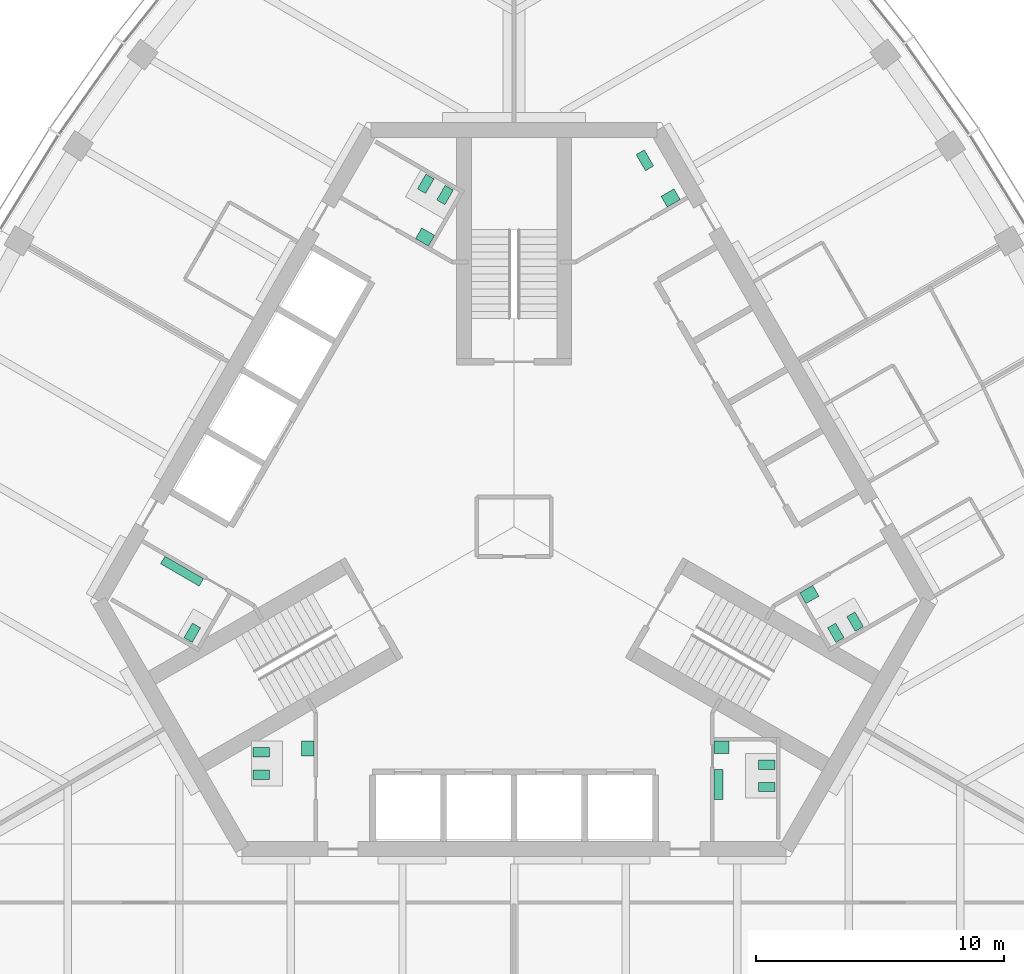
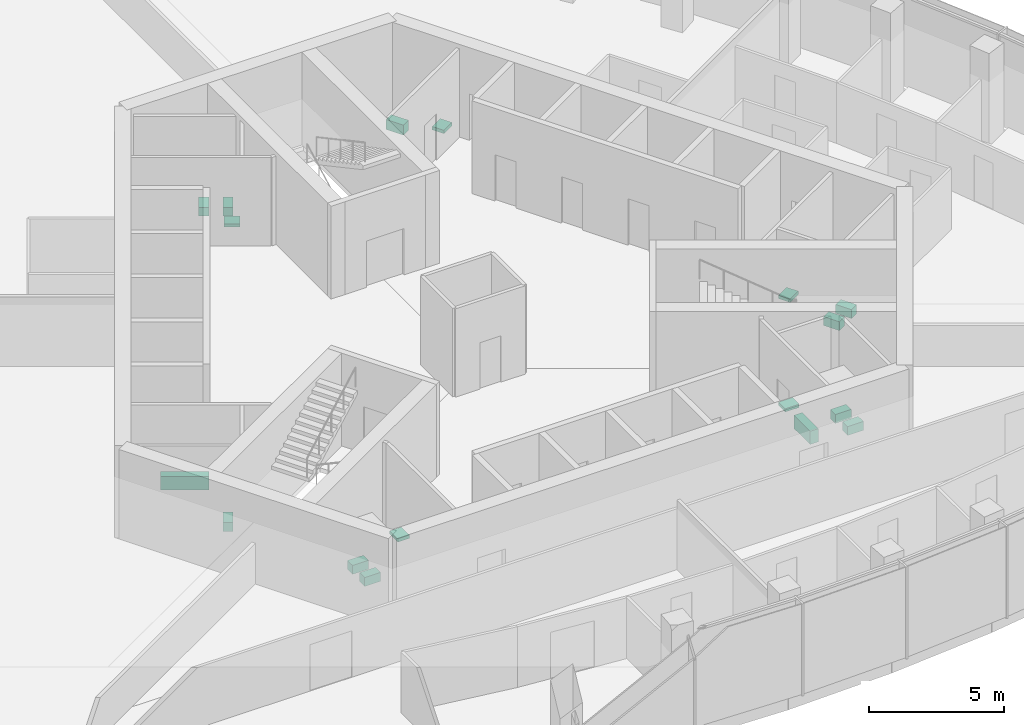
# One storey, part 15 of 16: 17 sanitary terminals.
"""IFC4 building model written with IfcOpenShell, lengths in metres."""

from ifc_helpers import new_model, si_unit, direction, frame, origin, place, context, subcontext, project, spatial, polyline, outline, extrude, material, type_object, element, save


model = new_model("IFC4")

# Units and contexts
model_context = context("Model", 3, precision=1e-05, world=origin(), true_north=direction((0.0, 1.0)))
body_context = subcontext(model_context, "Body", "Model", "MODEL_VIEW")
ifc_project = project(units=[si_unit("LENGTHUNIT", "METRE"), si_unit("AREAUNIT", "SQUARE_METRE"), si_unit("VOLUMEUNIT", "CUBIC_METRE"), si_unit("PLANEANGLEUNIT", "RADIAN"), si_unit("MASSUNIT", "GRAM", prefix="KILO")], contexts=[model_context])

# Site, building, storey
site_placement = place(None, origin())
site = spatial("IfcSite", under=ifc_project, at=site_placement, CompositionType="ELEMENT")
building_placement = place(site_placement, origin())
building = spatial("IfcBuilding", under=site, at=building_placement, Name="Trefoil Bronze Tower", CompositionType="ELEMENT")
storey_placement = place(building_placement, frame((0.0, 0.0, 318.300048828125)))
storey = spatial("IfcBuildingStorey", under=building, at=storey_placement, Name="L73", CompositionType="ELEMENT", Elevation=318.300048828125)

# Sanitary terminals
ifc_material_1 = material(Name="Vitreous china", Category="ceramic")
sanitary_terminal_type_1 = type_object("IfcSanitaryTerminalType", Name="Accessible WC pan", PredefinedType="TOILETPAN", material=ifc_material_1)
sanitary_terminal_1_placement = place(storey_placement, origin())
element("IfcSanitaryTerminal", 1, at=sanitary_terminal_1_placement, inside=storey, type_object=sanitary_terminal_type_1, Name="WC pan 1 Accessible WC L73", PredefinedType="TOILETPAN", context=body_context, shape_type="SweptSolid", body=[
    extrude(outline(polyline([(5.300537109375, 14.359130859375), (4.925537109375, 15.008544921875), (5.254638671875, 15.198486328125), (5.629638671875, 14.549072265625), (5.300537109375, 14.359130859375)])), origin(), (0.0, 0.0, 1.0), 0.449951171875),
])
ifc_material_2 = material(Name="Vitreous china", Category="ceramic")
sanitary_terminal_type_2 = type_object("IfcSanitaryTerminalType", Name="Accessible basin", PredefinedType="WASHHANDBASIN", material=ifc_material_2)
sanitary_terminal_2_placement = place(storey_placement, frame((0.0, 0.0, 0.64990234375)))
element("IfcSanitaryTerminal", 2, at=sanitary_terminal_2_placement, inside=storey, type_object=sanitary_terminal_type_2, Name="Wash basin Accessible WC L73", PredefinedType="WASHHANDBASIN", context=body_context, shape_type="SweptSolid", body=[
    extrude(outline(polyline([(6.181640625, 12.89306640625), (5.931640625, 13.326171875), (6.451171875, 13.626220703125), (6.701171875, 13.193115234375), (6.181640625, 12.89306640625)])), origin(), (0.0, 0.0, 1.0), 0.150146484375),
])
ifc_material_3 = material(Name="Vitreous china", Category="ceramic")
sanitary_terminal_type_3 = type_object("IfcSanitaryTerminalType", Name="Urinal range 2 urinals", PredefinedType="URINAL", material=ifc_material_3)
sanitary_terminal_3_placement = place(storey_placement, frame((0.0, 0.0, 0.39990234375)))
element("IfcSanitaryTerminal", 3, at=sanitary_terminal_3_placement, inside=storey, type_object=sanitary_terminal_type_3, Name="Urinal range WC (men) L73", PredefinedType="URINAL", context=body_context, shape_type="SweptSolid", body=[
    extrude(outline(polyline([(8.074951171875, -9.800048828125), (8.425048828125, -9.800048828125), (8.425048828125, -11.0), (8.074951171875, -11.0), (8.074951171875, -9.800048828125)])), origin(), (0.0, 0.0, 1.0), 0.60009765625),
])
ifc_material_4 = material(Name="Vitreous china", Category="ceramic")
sanitary_terminal_type_4 = type_object("IfcSanitaryTerminalType", Name="Urinal range 3 urinals", PredefinedType="URINAL", material=ifc_material_4)
sanitary_terminal_4_placement = place(storey_placement, frame((0.0, 0.0, 0.39990234375)))
element("IfcSanitaryTerminal", 4, at=sanitary_terminal_4_placement, inside=storey, type_object=sanitary_terminal_type_4, Name="Urinal range WC (men) L73", PredefinedType="URINAL", context=body_context, shape_type="SweptSolid", body=[
    extrude(outline(polyline([(-12.524658203125, -2.09326171875), (-12.699462890625, -2.396240234375), (-14.25830078125, -1.496337890625), (-14.08349609375, -1.193115234375), (-12.524658203125, -2.09326171875)])), origin(), (0.0, 0.0, 1.0), 0.60009765625),
])
ifc_material_5 = material(Name="Solid surface vanity", Category="plastic")
sanitary_terminal_type_5 = type_object("IfcSanitaryTerminalType", Name="Vanity unit 1 basins", PredefinedType="WASHHANDBASIN", material=ifc_material_5)
sanitary_terminal_5_placement = place(storey_placement, frame((0.0, 0.0, 0.75)))
element("IfcSanitaryTerminal", 5, at=sanitary_terminal_5_placement, inside=storey, type_object=sanitary_terminal_type_5, Name="Vanity unit WC (men) L73", PredefinedType="WASHHANDBASIN", context=body_context, shape_type="SweptSolid", body=[
    extrude(outline(polyline([(8.074951171875, -8.64990234375), (8.675048828125, -8.64990234375), (8.675048828125, -9.14990234375), (8.074951171875, -9.14990234375), (8.074951171875, -8.64990234375)])), origin(), (0.0, 0.0, 1.0), 0.14990234375),
])
sanitary_terminal_6_placement = place(storey_placement, frame((0.0, 0.0, 0.75)))
element("IfcSanitaryTerminal", 6, at=sanitary_terminal_6_placement, inside=storey, type_object=sanitary_terminal_type_5, Name="Vanity unit WC (women) L73", PredefinedType="WASHHANDBASIN", context=body_context, shape_type="SweptSolid", body=[
    extrude(outline(polyline([(11.528564453125, -2.668212890625), (11.778564453125, -3.10107421875), (12.29833984375, -2.80126953125), (12.04833984375, -2.3681640625), (11.528564453125, -2.668212890625)])), origin(), (0.0, 0.0, 1.0), 0.14990234375),
])
sanitary_terminal_7_placement = place(storey_placement, frame((0.0, 0.0, 0.75)))
element("IfcSanitaryTerminal", 7, at=sanitary_terminal_7_placement, inside=storey, type_object=sanitary_terminal_type_5, Name="Vanity unit WC (women) L73", PredefinedType="WASHHANDBASIN", context=body_context, shape_type="SweptSolid", body=[
    extrude(outline(polyline([(-3.45361328125, 11.318115234375), (-3.20361328125, 11.751220703125), (-3.72314453125, 12.05126953125), (-3.97314453125, 11.6181640625), (-3.45361328125, 11.318115234375)])), origin(), (0.0, 0.0, 1.0), 0.14990234375),
])
sanitary_terminal_8_placement = place(storey_placement, frame((0.0, 0.0, 0.75)))
element("IfcSanitaryTerminal", 8, at=sanitary_terminal_8_placement, inside=storey, type_object=sanitary_terminal_type_5, Name="Vanity unit WC (women) L73", PredefinedType="WASHHANDBASIN", context=body_context, shape_type="SweptSolid", body=[
    extrude(outline(polyline([(-8.074951171875, -8.64990234375), (-8.574951171875, -8.64990234375), (-8.574951171875, -9.25), (-8.074951171875, -9.25), (-8.074951171875, -8.64990234375)])), origin(), (0.0, 0.0, 1.0), 0.14990234375),
])
ifc_material_6 = material(Name="Vitreous china", Category="ceramic")
sanitary_terminal_type_6 = type_object("IfcSanitaryTerminalType", Name="WC pan", PredefinedType="TOILETPAN", material=ifc_material_6)
sanitary_terminal_9_placement = place(storey_placement, origin())
element("IfcSanitaryTerminal", 9, at=sanitary_terminal_9_placement, inside=storey, type_object=sanitary_terminal_type_6, Name="WC pan 1 WC (men) L73", PredefinedType="TOILETPAN", context=body_context, shape_type="SweptSolid", body=[
    extrude(outline(polyline([(9.85498046875, -9.409912109375), (10.534912109375, -9.409912109375), (10.534912109375, -9.7900390625), (9.85498046875, -9.7900390625), (9.85498046875, -9.409912109375)])), origin(), (0.0, 0.0, 1.0), 0.39990234375),
])
sanitary_terminal_10_placement = place(storey_placement, origin())
element("IfcSanitaryTerminal", 10, at=sanitary_terminal_10_placement, inside=storey, type_object=sanitary_terminal_type_6, Name="WC pan 2 WC (men) L73", PredefinedType="TOILETPAN", context=body_context, shape_type="SweptSolid", body=[
    extrude(outline(polyline([(9.85498046875, -10.31005859375), (10.534912109375, -10.31005859375), (10.534912109375, -10.68994140625), (9.85498046875, -10.68994140625), (9.85498046875, -10.31005859375)])), origin(), (0.0, 0.0, 1.0), 0.39990234375),
])
sanitary_terminal_11_placement = place(storey_placement, origin())
element("IfcSanitaryTerminal", 11, at=sanitary_terminal_11_placement, inside=storey, type_object=sanitary_terminal_type_6, Name="WC pan 1 WC (women) L73", PredefinedType="TOILETPAN", context=body_context, shape_type="SweptSolid", body=[
    extrude(outline(polyline([(12.643798828125, -4.07958984375), (12.98388671875, -4.66845703125), (13.31298828125, -4.478515625), (12.972900390625, -3.8896484375), (12.643798828125, -4.07958984375)])), origin(), (0.0, 0.0, 1.0), 0.39990234375),
])
sanitary_terminal_12_placement = place(storey_placement, origin())
element("IfcSanitaryTerminal", 12, at=sanitary_terminal_12_placement, inside=storey, type_object=sanitary_terminal_type_6, Name="WC pan 2 WC (women) L73", PredefinedType="TOILETPAN", context=body_context, shape_type="SweptSolid", body=[
    extrude(outline(polyline([(13.423095703125, -3.629638671875), (13.76318359375, -4.218505859375), (14.09228515625, -4.028564453125), (13.752197265625, -3.439697265625), (13.423095703125, -3.629638671875)])), origin(), (0.0, 0.0, 1.0), 0.39990234375),
])
sanitary_terminal_13_placement = place(storey_placement, origin())
element("IfcSanitaryTerminal", 13, at=sanitary_terminal_13_placement, inside=storey, type_object=sanitary_terminal_type_6, Name="WC pan 1 WC (women) L73", PredefinedType="TOILETPAN", context=body_context, shape_type="SweptSolid", body=[
    extrude(outline(polyline([(-2.788818359375, 12.98974609375), (-2.44873046875, 13.57861328125), (-2.77783203125, 13.7685546875), (-3.117919921875, 13.1796875), (-2.788818359375, 12.98974609375)])), origin(), (0.0, 0.0, 1.0), 0.39990234375),
])
sanitary_terminal_14_placement = place(storey_placement, origin())
element("IfcSanitaryTerminal", 14, at=sanitary_terminal_14_placement, inside=storey, type_object=sanitary_terminal_type_6, Name="WC pan 2 WC (women) L73", PredefinedType="TOILETPAN", context=body_context, shape_type="SweptSolid", body=[
    extrude(outline(polyline([(-3.568115234375, 13.439697265625), (-3.228271484375, 14.028564453125), (-3.557373046875, 14.218505859375), (-3.897216796875, 13.629638671875), (-3.568115234375, 13.439697265625)])), origin(), (0.0, 0.0, 1.0), 0.39990234375),
])
sanitary_terminal_15_placement = place(storey_placement, origin())
element("IfcSanitaryTerminal", 15, at=sanitary_terminal_15_placement, inside=storey, type_object=sanitary_terminal_type_6, Name="WC pan 1 WC (men) L73", PredefinedType="TOILETPAN", context=body_context, shape_type="SweptSolid", body=[
    extrude(outline(polyline([(-12.643798828125, -4.07958984375), (-12.98388671875, -4.66845703125), (-13.31298828125, -4.478515625), (-12.972900390625, -3.8896484375), (-12.643798828125, -4.07958984375)])), origin(), (0.0, 0.0, 1.0), 0.39990234375),
])
sanitary_terminal_16_placement = place(storey_placement, origin())
element("IfcSanitaryTerminal", 16, at=sanitary_terminal_16_placement, inside=storey, type_object=sanitary_terminal_type_6, Name="WC pan 1 WC (women) L73", PredefinedType="TOILETPAN", context=body_context, shape_type="SweptSolid", body=[
    extrude(outline(polyline([(-9.85498046875, -8.909912109375), (-10.534912109375, -8.909912109375), (-10.534912109375, -9.2900390625), (-9.85498046875, -9.2900390625), (-9.85498046875, -8.909912109375)])), origin(), (0.0, 0.0, 1.0), 0.39990234375),
])
sanitary_terminal_17_placement = place(storey_placement, origin())
element("IfcSanitaryTerminal", 17, at=sanitary_terminal_17_placement, inside=storey, type_object=sanitary_terminal_type_6, Name="WC pan 2 WC (women) L73", PredefinedType="TOILETPAN", context=body_context, shape_type="SweptSolid", body=[
    extrude(outline(polyline([(-9.85498046875, -9.81005859375), (-10.534912109375, -9.81005859375), (-10.534912109375, -10.18994140625), (-9.85498046875, -10.18994140625), (-9.85498046875, -9.81005859375)])), origin(), (0.0, 0.0, 1.0), 0.39990234375),
])

save(model, "model.ifc")
